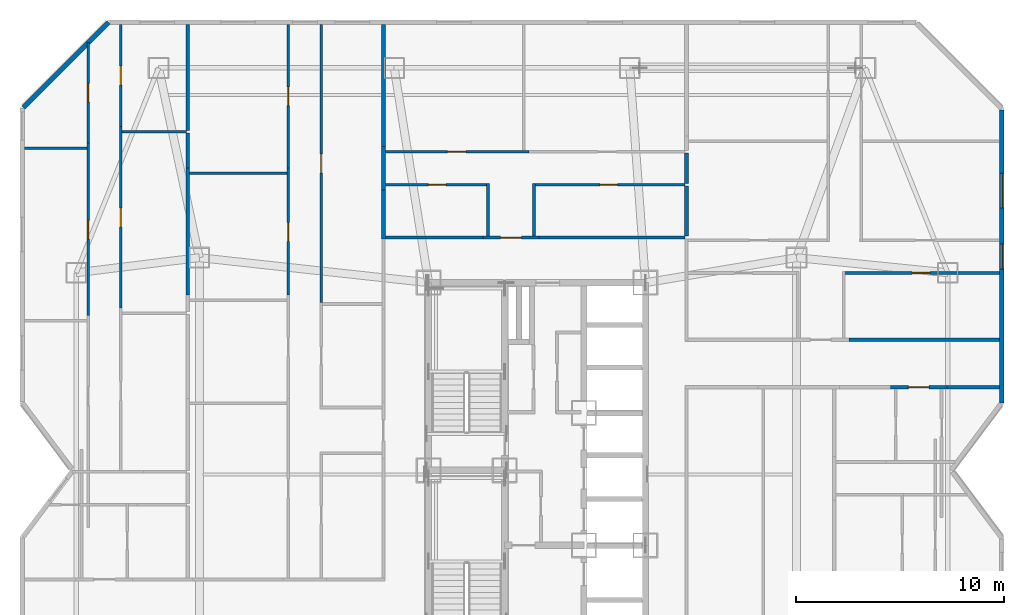
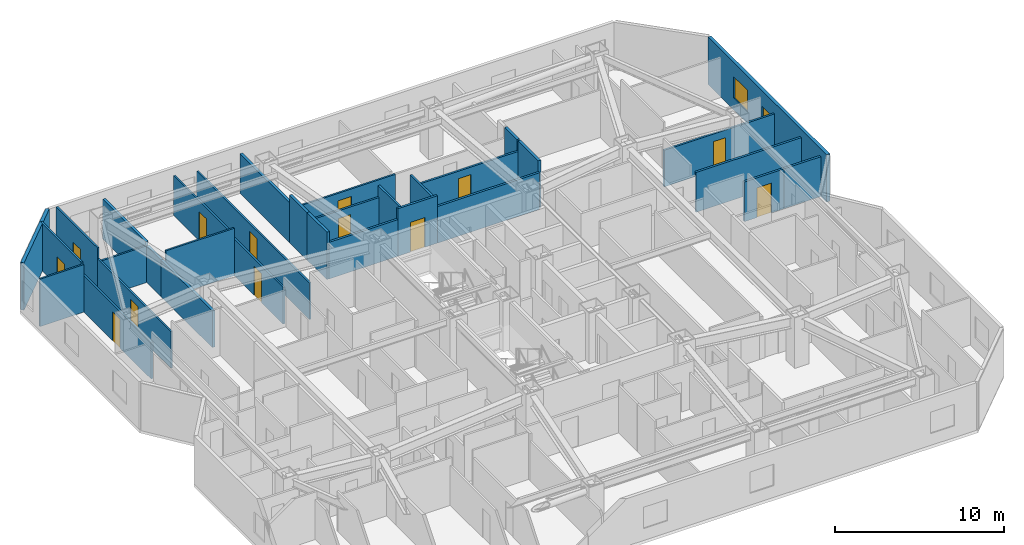
# One storey, part 10 of 13: 32 walls, 13 doors, 2 windows, 15 openings.
"""IFC4 building model written with IfcOpenShell, lengths in metres."""

from ifc_helpers import new_model, si_unit, direction, frame, frame_2d, origin, place, context, subcontext, project, spatial, rectangle, extrude, material, layer, layer_set, type_object, element, fill, save


model = new_model("IFC4")

# Units and contexts
model_context = context("Model", 3, precision=1e-05, world=origin(), true_north=direction((0.0, 1.0)))
body_context = subcontext(model_context, "Body", "Model", "MODEL_VIEW")
ifc_project = project(units=[si_unit("LENGTHUNIT", "METRE"), si_unit("AREAUNIT", "SQUARE_METRE"), si_unit("VOLUMEUNIT", "CUBIC_METRE"), si_unit("PLANEANGLEUNIT", "RADIAN"), si_unit("MASSUNIT", "GRAM", prefix="KILO")], contexts=[model_context])

# Site, building, storey
site_placement = place(None, origin())
site = spatial("IfcSite", under=ifc_project, at=site_placement, CompositionType="ELEMENT")
building_placement = place(site_placement, origin())
building = spatial("IfcBuilding", under=site, at=building_placement, Name="Khamvora Tower", CompositionType="ELEMENT")
storey_placement = place(building_placement, frame((0.0, 0.0, 105.550048828125)))
storey = spatial("IfcBuildingStorey", under=building, at=storey_placement, Name="L26", CompositionType="ELEMENT", Elevation=105.550048828125)

# Wall, opening, door
ifc_material_1 = material(Name="Fire-Rated Drywall and Steel Stud", Category="steel")
ifc_layer_1 = layer(ifc_material_1, 0.14990234375)
ifc_layer_set_1 = layer_set([ifc_layer_1], Name="Fire-Rated Drywall and Steel Stud")
wall_type_1 = type_object("IfcWallType", Name="WAL-CORR-150", PredefinedType="STANDARD", material=ifc_layer_set_1)
wall_1_placement = place(storey_placement, frame((31.60107421875, 39.1650390625, 0.0), z_axis=(0.0, 0.0, 1.0), x_axis=(1.0, 0.0, 0.0)))
wall_1 = element("IfcWall", 1, at=wall_1_placement, inside=storey, type_object=wall_type_1, Name="L26 interior partition wall 030", PredefinedType="STANDARD", context=body_context, shape_type="SweptSolid", body=[
    extrude(rectangle(XDim=2.697998046875, YDim=0.14990234375, at=frame_2d((1.34912109375, 0.0))), origin(), (0.0, 0.0, 1.0), 3.429931640625),
])
opening_1_placement = place(wall_1_placement, frame((0.84912109375, 0.0, 0.0)))
opening_1 = element("IfcOpeningElement", 2, at=opening_1_placement, cuts=wall_1, Name="Opening D-U1", PredefinedType="OPENING", context=body_context, shape_type="SweptSolid", body=[
    extrude(rectangle(XDim=1.0, YDim=2.14990234375, at=frame_2d((0.5, 1.074951171875))), frame((0.0, 0.0849609375, 0.0), z_axis=(0.0, -1.0, 0.0), x_axis=(1.0, 0.0, 0.0)), (0.0, 0.0, 1.0), 0.169921875),
])
ifc_material_2 = material(Name="Powder-Coated Steel and Hardwood Leaf", Category="steel")
door_type_1 = type_object("IfcDoorType", Name="DOR-UNIT-1000", OperationType="NOTDEFINED", PredefinedType="DOOR", material=ifc_material_2)
door_1_placement = place(opening_1_placement, origin())
door_1 = element("IfcDoor", 3, at=door_1_placement, inside=storey, type_object=door_type_1, Name="L26 interior door COR-26NAH", OperationType="SINGLE_SWING_LEFT", OverallHeight=2.14990234375, OverallWidth=1.0, PredefinedType="DOOR", context=body_context, shape_type="SweptSolid", body=[
    extrude(rectangle(XDim=1.0, YDim=2.14990234375, at=frame_2d((0.5, 1.074951171875))), frame((0.0, 0.02490234375, 0.0), z_axis=(0.0, -1.0, 0.0), x_axis=(1.0, 0.0, 0.0)), (0.0, 0.0, 1.0), 0.050048828125),
])
fill(opening_1, door_1)

# Walls
wall_2_placement = place(storey_placement, frame((26.89990234375, 39.1650390625, 0.0), z_axis=(0.0, 0.0, 1.0), x_axis=(1.0, 0.0, 0.0)))
element("IfcWall", 4, at=wall_2_placement, inside=storey, type_object=wall_type_1, Name="L26 interior partition wall 031", PredefinedType="STANDARD", context=body_context, shape_type="SweptSolid", body=[
    extrude(rectangle(XDim=4.701171875, YDim=0.14990234375, at=frame_2d((2.3505859375, 0.0))), origin(), (0.0, 0.0, 1.0), 2.64697265625),
])
wall_3_placement = place(storey_placement, frame((34.299072265625, 39.1650390625, 0.0), z_axis=(0.0, 0.0, 1.0), x_axis=(1.0, 0.0, 0.0)))
element("IfcWall", 5, at=wall_3_placement, inside=storey, type_object=wall_type_1, Name="L26 interior partition wall 032", PredefinedType="STANDARD", context=body_context, shape_type="SweptSolid", body=[
    extrude(rectangle(XDim=7.0009765625, YDim=0.14990234375, at=frame_2d((3.50048828125, 0.0))), origin(), (0.0, 0.0, 1.0), 2.64697265625),
])

# Wall, opening, door
wall_4_placement = place(storey_placement, frame((53.85693359375, 31.985107421875, 0.0), z_axis=(0.0, 0.0, 1.0), x_axis=(-1.0, 0.0, 0.0)))
wall_4 = element("IfcWall", 6, at=wall_4_placement, inside=storey, type_object=wall_type_1, Name="L26 interior partition wall 037", PredefinedType="STANDARD", context=body_context, shape_type="SweptSolid", body=[
    extrude(rectangle(XDim=2.698974609375, YDim=0.14990234375, at=frame_2d((1.349609375, 0.0))), origin(), (0.0, 0.0, 1.0), 2.8759765625),
])
opening_2_placement = place(wall_4_placement, frame((0.84912109375, 0.0, 0.0)))
opening_2 = element("IfcOpeningElement", 7, at=opening_2_placement, cuts=wall_4, Name="Opening D-U1", PredefinedType="OPENING", context=body_context, shape_type="SweptSolid", body=[
    extrude(rectangle(XDim=1.0, YDim=2.14990234375, at=frame_2d((0.5, 1.074951171875))), frame((0.0, 0.0849609375, 0.0), z_axis=(0.0, -1.0, 0.0), x_axis=(1.0, 0.0, 0.0)), (0.0, 0.0, 1.0), 0.169921875),
])
door_2_placement = place(opening_2_placement, origin())
door_2 = element("IfcDoor", 8, at=door_2_placement, inside=storey, type_object=door_type_1, Name="L26 interior door COR-26EBH", OperationType="SINGLE_SWING_LEFT", OverallHeight=2.14990234375, OverallWidth=1.0, PredefinedType="DOOR", context=body_context, shape_type="SweptSolid", body=[
    extrude(rectangle(XDim=1.0, YDim=2.14990234375, at=frame_2d((0.5, 1.074951171875))), frame((0.0, 0.02490234375, 0.0), z_axis=(0.0, -1.0, 0.0), x_axis=(1.0, 0.0, 0.0)), (0.0, 0.0, 1.0), 0.050048828125),
])
fill(opening_2, door_2)

# Walls
wall_5_placement = place(storey_placement, frame((56.387939453125, 31.985107421875, 0.0), z_axis=(0.0, 0.0, 1.0), x_axis=(-1.0, 0.0, 0.0)))
element("IfcWall", 9, at=wall_5_placement, inside=storey, type_object=wall_type_1, Name="L26 interior partition wall 038", PredefinedType="STANDARD", context=body_context, shape_type="SweptSolid", body=[
    extrude(rectangle(XDim=2.531005859375, YDim=0.14990234375, at=frame_2d((1.265625, 0.0))), origin(), (0.0, 0.0, 1.0), 2.8759765625),
])
wall_6_placement = place(storey_placement, frame((49.158935546875, 34.264892578125, 0.0), z_axis=(0.0, 0.0, 1.0), x_axis=(1.0, 0.0, 0.0)))
element("IfcWall", 10, at=wall_6_placement, inside=storey, type_object=wall_type_1, Name="L26 interior partition wall 044", PredefinedType="STANDARD", context=body_context, shape_type="SweptSolid", body=[
    extrude(rectangle(XDim=7.22900390625, YDim=0.14990234375, at=frame_2d((3.614501953125, 0.0))), origin(), (0.0, 0.0, 1.0), 2.8759765625),
])
ifc_material_3 = material(Name="Acoustic Double-Stud Fire Wall", Category="gypsum")
ifc_layer_2 = layer(ifc_material_3, 0.179931640625)
ifc_layer_set_2 = layer_set([ifc_layer_2], Name="Acoustic Double-Stud Fire Wall")
wall_type_2 = type_object("IfcWallType", Name="WAL-CORR-180", PredefinedType="STANDARD", material=ifc_layer_set_2)
wall_7_placement = place(storey_placement, frame((17.449951171875, 42.50390625, 0.0), z_axis=(0.0, 0.0, 1.0), x_axis=(0.0, -1.0, 0.0)))
element("IfcWall", 11, at=wall_7_placement, inside=storey, type_object=wall_type_2, Name="L26 interior partition wall 092", PredefinedType="STANDARD", context=body_context, shape_type="SweptSolid", body=[
    extrude(rectangle(XDim=6.094970703125, YDim=0.179931640625, at=frame_2d((3.04736328125, 0.0))), origin(), (0.0, 0.0, 1.0), 2.64697265625),
])
wall_8_placement = place(storey_placement, frame((17.449951171875, 44.180908203125, 0.0), z_axis=(0.0, 0.0, 1.0), x_axis=(0.0, -1.0, 0.0)))
element("IfcWall", 12, at=wall_8_placement, inside=storey, type_object=wall_type_2, Name="L26 interior partition wall 093", PredefinedType="STANDARD", context=body_context, shape_type="SweptSolid", body=[
    extrude(rectangle(XDim=1.677001953125, YDim=0.179931640625, at=frame_2d((0.83837890625, 0.0))), origin(), (0.0, 0.0, 1.0), 2.64697265625),
])
wall_9_placement = place(storey_placement, frame((17.449951171875, 49.387939453125, 0.0), z_axis=(0.0, 0.0, 1.0), x_axis=(0.0, -1.0, 0.0)))
element("IfcWall", 13, at=wall_9_placement, inside=storey, type_object=wall_type_2, Name="L26 interior partition wall 094", PredefinedType="STANDARD", context=body_context, shape_type="SweptSolid", body=[
    extrude(rectangle(XDim=5.076904296875, YDim=0.179931640625, at=frame_2d((2.53857421875, 0.0))), origin(), (0.0, 0.0, 1.0), 2.8759765625),
])
wall_10_placement = place(storey_placement, frame((26.8349609375, 43.52392578125, 0.0), z_axis=(0.0, 0.0, 1.0), x_axis=(0.0, -1.0, 0.0)))
element("IfcWall", 14, at=wall_10_placement, inside=storey, type_object=wall_type_2, Name="L26 interior partition wall 097", PredefinedType="STANDARD", context=body_context, shape_type="SweptSolid", body=[
    extrude(rectangle(XDim=2.077880859375, YDim=0.179931640625, at=frame_2d((1.0390625, 0.0))), origin(), (0.0, 0.0, 1.0), 3.429931640625),
])
wall_11_placement = place(storey_placement, frame((26.8349609375, 41.446044921875, 0.0), z_axis=(0.0, 0.0, 1.0), x_axis=(0.0, -1.0, 0.0)))
element("IfcWall", 15, at=wall_11_placement, inside=storey, type_object=wall_type_2, Name="L26 interior partition wall 098", PredefinedType="STANDARD", context=body_context, shape_type="SweptSolid", body=[
    extrude(rectangle(XDim=2.345947265625, YDim=0.179931640625, at=frame_2d((1.1728515625, 0.0))), origin(), (0.0, 0.0, 1.0), 3.429931640625),
])
wall_12_placement = place(storey_placement, frame((26.8349609375, 49.387939453125, 0.0), z_axis=(0.0, 0.0, 1.0), x_axis=(0.0, -1.0, 0.0)))
element("IfcWall", 16, at=wall_12_placement, inside=storey, type_object=wall_type_2, Name="L26 interior partition wall 099", PredefinedType="STANDARD", context=body_context, shape_type="SweptSolid", body=[
    extrude(rectangle(XDim=5.864013671875, YDim=0.179931640625, at=frame_2d((2.93212890625, 0.0))), origin(), (0.0, 0.0, 1.0), 2.8759765625),
])
wall_13_placement = place(storey_placement, frame((41.364990234375, 43.2099609375, 0.0), z_axis=(0.0, 0.0, 1.0), x_axis=(0.0, -1.0, 0.0)))
element("IfcWall", 17, at=wall_13_placement, inside=storey, type_object=wall_type_2, Name="L26 interior partition wall 126", PredefinedType="STANDARD", context=body_context, shape_type="SweptSolid", body=[
    extrude(rectangle(XDim=1.449951171875, YDim=0.179931640625, at=frame_2d((0.72509765625, 0.0))), origin(), (0.0, 0.0, 1.0), 3.429931640625),
])
wall_14_placement = place(storey_placement, frame((41.364990234375, 41.6298828125, 0.0), z_axis=(0.0, 0.0, 1.0), x_axis=(0.0, -1.0, 0.0)))
element("IfcWall", 18, at=wall_14_placement, inside=storey, type_object=wall_type_2, Name="L26 interior partition wall 127", PredefinedType="STANDARD", context=body_context, shape_type="SweptSolid", body=[
    extrude(rectangle(XDim=2.39990234375, YDim=0.179931640625, at=frame_2d((1.199951171875, 0.0))), origin(), (0.0, 0.0, 1.0), 3.429931640625),
])
ifc_material_4 = material(Name="Precast concrete C40/50", Category="concrete")
ifc_layer_3 = layer(ifc_material_4, 0.219970703125)
ifc_layer_set_3 = layer_set([ifc_layer_3], Name="Precast concrete C40/50")
wall_type_3 = type_object("IfcWallType", Name="WAL-EXT-220", PredefinedType="STANDARD", material=ifc_layer_set_3)
wall_15_placement = place(storey_placement, frame((9.55810546875, 45.402099609375, 0.0), z_axis=(0.0, 0.0, 1.0), x_axis=(0.707106781187, 0.707106781187, 0.0)))
element("IfcWall", 19, at=wall_15_placement, inside=storey, type_object=wall_type_3, Name="L26 exterior facade wall 06.1", PredefinedType="STANDARD", context=body_context, shape_type="SweptSolid", body=[
    extrude(rectangle(XDim=5.78125, YDim=0.219970703125, at=frame_2d((2.890625, 0.0))), origin(), (0.0, 0.0, 1.0), 3.429931640625),
])

# Wall, openings, windows
wall_16_placement = place(storey_placement, frame((56.489990234375, 45.282958984375, 0.0), z_axis=(0.0, 0.0, 1.0), x_axis=(0.0, -1.0, 0.0)))
wall_16 = element("IfcWall", 20, at=wall_16_placement, inside=storey, type_object=wall_type_3, Name="L26 exterior facade wall 09.1", PredefinedType="STANDARD", context=body_context, shape_type="SweptSolid", body=[
    extrude(rectangle(XDim=14.0458984375, YDim=0.219970703125, at=frame_2d((7.02294921875, 0.0))), origin(), (0.0, 0.0, 1.0), 3.429931640625),
])
opening_3_placement = place(wall_16_placement, frame((6.428955078125, 0.0, 0.800048828125)))
opening_3 = element("IfcOpeningElement", 21, at=opening_3_placement, cuts=wall_16, Name="Opening WN-03", PredefinedType="OPENING", context=body_context, shape_type="SweptSolid", body=[
    extrude(rectangle(XDim=1.199951171875, YDim=1.5, at=frame_2d((0.60009765625, 0.75))), frame((0.0, 0.119873046875, 0.0), z_axis=(0.0, -1.0, 0.0), x_axis=(1.0, 0.0, 0.0)), (0.0, 0.0, 1.0), 0.239990234375),
])
opening_4_placement = place(wall_16_placement, frame((3.0439453125, 0.0, 0.85009765625)))
opening_4 = element("IfcOpeningElement", 22, at=opening_4_placement, cuts=wall_16, Name="Opening WN-06", PredefinedType="OPENING", context=body_context, shape_type="SweptSolid", body=[
    extrude(rectangle(XDim=1.64990234375, YDim=1.550048828125, at=frame_2d((0.824951171875, 0.77490234375))), frame((0.0, 0.119873046875, 0.0), z_axis=(0.0, -1.0, 0.0), x_axis=(1.0, 0.0, 0.0)), (0.0, 0.0, 1.0), 0.239990234375),
])
ifc_material_5 = material(Name="Low-E Laminated Double Glazing", Category="glass")
window_type_1 = type_object("IfcWindowType", Name="WIN-VIS-1200x1500", PartitioningType="SINGLE_PANEL", PredefinedType="WINDOW", material=ifc_material_5)
window_1_placement = place(opening_3_placement, origin())
window_1 = element("IfcWindow", 23, at=window_1_placement, inside=storey, type_object=window_type_1, Name="L26 vision window 09.1.01", OverallHeight=1.5, OverallWidth=1.199951171875, PartitioningType="SINGLE_PANEL", PredefinedType="WINDOW", context=body_context, shape_type="SweptSolid", body=[
    extrude(rectangle(XDim=1.199951171875, YDim=1.5, at=frame_2d((0.60009765625, 0.75))), frame((0.0, 0.030029296875, 0.0), z_axis=(0.0, -1.0, 0.0), x_axis=(1.0, 0.0, 0.0)), (0.0, 0.0, 1.0), 0.06005859375),
])
fill(opening_3, window_1)
window_type_2 = type_object("IfcWindowType", Name="WIN-VIS-1650x1550", PartitioningType="SINGLE_PANEL", PredefinedType="WINDOW", material=ifc_material_5)
window_2_placement = place(opening_4_placement, origin())
window_2 = element("IfcWindow", 24, at=window_2_placement, inside=storey, type_object=window_type_2, Name="L26 vision window 09.1.02", OverallHeight=1.550048828125, OverallWidth=1.64990234375, PartitioningType="SINGLE_PANEL", PredefinedType="WINDOW", context=body_context, shape_type="SweptSolid", body=[
    extrude(rectangle(XDim=1.64990234375, YDim=1.550048828125, at=frame_2d((0.824951171875, 0.77490234375))), frame((0.0, 0.030029296875, 0.0), z_axis=(0.0, -1.0, 0.0), x_axis=(1.0, 0.0, 0.0)), (0.0, 0.0, 1.0), 0.06005859375),
])
fill(opening_4, window_2)

# Wall, opening, door
ifc_material_6 = material(Name="Gypsum Plasterboard Partition", Category="gypsum")
ifc_layer_4 = layer(ifc_material_6, 0.1201171875)
ifc_layer_set_4 = layer_set([ifc_layer_4], Name="Gypsum Plasterboard Partition")
wall_type_4 = type_object("IfcWallType", Name="WAL-PART-120", PredefinedType="PARTITIONING", material=ifc_layer_set_4)
wall_17_placement = place(storey_placement, frame((12.662109375, 35.422119140625, 0.0), z_axis=(0.0, 0.0, 1.0), x_axis=(0.0, 1.0, 0.0)))
wall_17 = element("IfcWall", 25, at=wall_17_placement, inside=storey, type_object=wall_type_4, Name="L26 interior partition wall 077", PredefinedType="PARTITIONING", context=body_context, shape_type="SweptSolid", body=[
    extrude(rectangle(XDim=8.28076171875, YDim=0.1201171875, at=frame_2d((4.140380859375, 0.0))), origin(), (0.0, 0.0, 1.0), 2.64697265625),
])
opening_5_placement = place(wall_17_placement, frame((3.669921875, 0.0, 0.0)))
opening_5 = element("IfcOpeningElement", 26, at=opening_5_placement, cuts=wall_17, Name="Opening D-RM1", PredefinedType="OPENING", context=body_context, shape_type="SweptSolid", body=[
    extrude(rectangle(XDim=0.89990234375, YDim=2.10009765625, at=frame_2d((0.449951171875, 1.050048828125))), frame((0.0, 0.070068359375, 0.0), z_axis=(0.0, -1.0, 0.0), x_axis=(1.0, 0.0, 0.0)), (0.0, 0.0, 1.0), 0.14013671875),
])
door_type_2 = type_object("IfcDoorType", Name="DOR-ROOM-900", OperationType="NOTDEFINED", PredefinedType="DOOR", material=ifc_material_2)
door_3_placement = place(opening_5_placement, origin())
door_3 = element("IfcDoor", 27, at=door_3_placement, inside=storey, type_object=door_type_2, Name="L26 interior door 26WC1H-26WC1R2", OperationType="SINGLE_SWING_LEFT", OverallHeight=2.10009765625, OverallWidth=0.89990234375, PredefinedType="DOOR", context=body_context, shape_type="SweptSolid", body=[
    extrude(rectangle(XDim=0.89990234375, YDim=2.10009765625, at=frame_2d((0.449951171875, 1.050048828125))), frame((0.0, 0.02490234375, 0.0), z_axis=(0.0, -1.0, 0.0), x_axis=(1.0, 0.0, 0.0)), (0.0, 0.0, 1.0), 0.050048828125),
])
fill(opening_5, door_3)

wall_18_placement = place(storey_placement, frame((12.662109375, 43.702880859375, 0.0), z_axis=(0.0, 0.0, 1.0), x_axis=(0.0, 1.0, 0.0)))
wall_18 = element("IfcWall", 28, at=wall_18_placement, inside=storey, type_object=wall_type_4, Name="L26 interior partition wall 078", PredefinedType="PARTITIONING", context=body_context, shape_type="SweptSolid", body=[
    extrude(rectangle(XDim=4.814208984375, YDim=0.1201171875, at=frame_2d((2.4072265625, 0.0))), origin(), (0.0, 0.0, 1.0), 3.429931640625),
])
opening_6_placement = place(wall_18_placement, frame((1.95703125, 0.0, 0.0)))
opening_6 = element("IfcOpeningElement", 29, at=opening_6_placement, cuts=wall_18, Name="Opening D-RM1", PredefinedType="OPENING", context=body_context, shape_type="SweptSolid", body=[
    extrude(rectangle(XDim=0.89990234375, YDim=2.10009765625, at=frame_2d((0.449951171875, 1.050048828125))), frame((0.0, 0.070068359375, 0.0), z_axis=(0.0, -1.0, 0.0), x_axis=(1.0, 0.0, 0.0)), (0.0, 0.0, 1.0), 0.14013671875),
])
door_4_placement = place(opening_6_placement, origin())
door_4 = element("IfcDoor", 30, at=door_4_placement, inside=storey, type_object=door_type_2, Name="L26 interior door 26WC1H-26WC1R3", OperationType="SINGLE_SWING_RIGHT", OverallHeight=2.10009765625, OverallWidth=0.89990234375, PredefinedType="DOOR", context=body_context, shape_type="SweptSolid", body=[
    extrude(rectangle(XDim=0.89990234375, YDim=2.10009765625, at=frame_2d((0.449951171875, 1.050048828125))), frame((0.0, 0.02490234375, 0.0), z_axis=(0.0, -1.0, 0.0), x_axis=(1.0, 0.0, 0.0)), (0.0, 0.0, 1.0), 0.050048828125),
])
fill(opening_6, door_4)

wall_19_placement = place(storey_placement, frame((14.23193359375, 44.4951171875, 0.0), z_axis=(0.0, 0.0, 1.0), x_axis=(0.0, -1.0, 0.0)))
wall_19 = element("IfcWall", 31, at=wall_19_placement, inside=storey, type_object=wall_type_4, Name="L26 interior partition wall 081", PredefinedType="PARTITIONING", context=body_context, shape_type="SweptSolid", body=[
    extrude(rectangle(XDim=8.705078125, YDim=0.1201171875, at=frame_2d((4.3525390625, 0.0))), origin(), (0.0, 0.0, 1.0), 2.64697265625),
])
opening_7_placement = place(wall_19_placement, frame((3.923095703125, 0.0, 0.0)))
opening_7 = element("IfcOpeningElement", 32, at=opening_7_placement, cuts=wall_19, Name="Opening D-RM1", PredefinedType="OPENING", context=body_context, shape_type="SweptSolid", body=[
    extrude(rectangle(XDim=0.89990234375, YDim=2.10009765625, at=frame_2d((0.449951171875, 1.050048828125))), frame((0.0, 0.070068359375, 0.0), z_axis=(0.0, -1.0, 0.0), x_axis=(1.0, 0.0, 0.0)), (0.0, 0.0, 1.0), 0.14013671875),
])
door_5_placement = place(opening_7_placement, origin())
door_5 = element("IfcDoor", 33, at=door_5_placement, inside=storey, type_object=door_type_2, Name="L26 interior door 26WC1H-26WC1R5", OperationType="SINGLE_SWING_RIGHT", OverallHeight=2.10009765625, OverallWidth=0.89990234375, PredefinedType="DOOR", context=body_context, shape_type="SweptSolid", body=[
    extrude(rectangle(XDim=0.89990234375, YDim=2.10009765625, at=frame_2d((0.449951171875, 1.050048828125))), frame((0.0, 0.02490234375, 0.0), z_axis=(0.0, -1.0, 0.0), x_axis=(1.0, 0.0, 0.0)), (0.0, 0.0, 1.0), 0.050048828125),
])
fill(opening_7, door_5)

wall_20_placement = place(storey_placement, frame((14.23193359375, 49.387939453125, 0.0), z_axis=(0.0, 0.0, 1.0), x_axis=(0.0, -1.0, 0.0)))
wall_20 = element("IfcWall", 34, at=wall_20_placement, inside=storey, type_object=wall_type_4, Name="L26 interior partition wall 082", PredefinedType="PARTITIONING", context=body_context, shape_type="SweptSolid", body=[
    extrude(rectangle(XDim=4.892822265625, YDim=0.1201171875, at=frame_2d((2.4462890625, 0.0))), origin(), (0.0, 0.0, 1.0), 3.429931640625),
])
opening_8_placement = place(wall_20_placement, frame((1.99609375, 0.0, 0.0)))
opening_8 = element("IfcOpeningElement", 35, at=opening_8_placement, cuts=wall_20, Name="Opening D-RM1", PredefinedType="OPENING", context=body_context, shape_type="SweptSolid", body=[
    extrude(rectangle(XDim=0.89990234375, YDim=2.10009765625, at=frame_2d((0.449951171875, 1.050048828125))), frame((0.0, 0.070068359375, 0.0), z_axis=(0.0, -1.0, 0.0), x_axis=(1.0, 0.0, 0.0)), (0.0, 0.0, 1.0), 0.14013671875),
])
door_6_placement = place(opening_8_placement, origin())
door_6 = element("IfcDoor", 36, at=door_6_placement, inside=storey, type_object=door_type_2, Name="L26 interior door 26WC1H-26WC1R6", OperationType="SINGLE_SWING_LEFT", OverallHeight=2.10009765625, OverallWidth=0.89990234375, PredefinedType="DOOR", context=body_context, shape_type="SweptSolid", body=[
    extrude(rectangle(XDim=0.89990234375, YDim=2.10009765625, at=frame_2d((0.449951171875, 1.050048828125))), frame((0.0, 0.02490234375, 0.0), z_axis=(0.0, -1.0, 0.0), x_axis=(1.0, 0.0, 0.0)), (0.0, 0.0, 1.0), 0.050048828125),
])
fill(opening_8, door_6)

# Walls
wall_21_placement = place(storey_placement, frame((9.612060546875, 43.4541015625, 0.0), z_axis=(0.0, 0.0, 1.0), x_axis=(1.0, 0.0, 0.0)))
element("IfcWall", 37, at=wall_21_placement, inside=storey, type_object=wall_type_4, Name="L26 interior partition wall 086", PredefinedType="PARTITIONING", context=body_context, shape_type="SweptSolid", body=[
    extrude(rectangle(XDim=2.995849609375, YDim=0.1201171875, at=frame_2d((1.498046875, 0.0))), origin(), (0.0, 0.0, 1.0), 3.429931640625),
])
wall_22_placement = place(storey_placement, frame((14.285888671875, 44.24609375, 0.0), z_axis=(0.0, 0.0, 1.0), x_axis=(1.0, 0.0, 0.0)))
element("IfcWall", 38, at=wall_22_placement, inside=storey, type_object=wall_type_4, Name="L26 interior partition wall 090", PredefinedType="PARTITIONING", context=body_context, shape_type="SweptSolid", body=[
    extrude(rectangle(XDim=3.09912109375, YDim=0.1201171875, at=frame_2d((1.549560546875, 0.0))), origin(), (0.0, 0.0, 1.0), 2.64697265625),
])

# Wall, opening, door
wall_23_placement = place(storey_placement, frame((23.84912109375, 36.0458984375, 0.0), z_axis=(0.0, 0.0, 1.0), x_axis=(0.0, 1.0, 0.0)))
wall_23 = element("IfcWall", 39, at=wall_23_placement, inside=storey, type_object=wall_type_4, Name="L26 interior partition wall 095", PredefinedType="PARTITIONING", context=body_context, shape_type="SweptSolid", body=[
    extrude(rectangle(XDim=13.342041015625, YDim=0.1201171875, at=frame_2d((6.6708984375, 0.0))), origin(), (0.0, 0.0, 1.0), 2.64697265625),
])
opening_9_placement = place(wall_23_placement, frame((6.220947265625, 0.0, 0.0)))
opening_9 = element("IfcOpeningElement", 40, at=opening_9_placement, cuts=wall_23, Name="Opening D-RM1", PredefinedType="OPENING", context=body_context, shape_type="SweptSolid", body=[
    extrude(rectangle(XDim=0.89990234375, YDim=2.10009765625, at=frame_2d((0.449951171875, 1.050048828125))), frame((0.0, 0.070068359375, 0.0), z_axis=(0.0, -1.0, 0.0), x_axis=(1.0, 0.0, 0.0)), (0.0, 0.0, 1.0), 0.14013671875),
])
door_7_placement = place(opening_9_placement, origin())
door_7 = element("IfcDoor", 41, at=door_7_placement, inside=storey, type_object=door_type_2, Name="L26 interior door 26WC2W2-26WC2H", OperationType="SINGLE_SWING_RIGHT", OverallHeight=2.10009765625, OverallWidth=0.89990234375, PredefinedType="DOOR", context=body_context, shape_type="SweptSolid", body=[
    extrude(rectangle(XDim=0.89990234375, YDim=2.10009765625, at=frame_2d((0.449951171875, 1.050048828125))), frame((0.0, 0.02490234375, 0.0), z_axis=(0.0, -1.0, 0.0), x_axis=(1.0, 0.0, 0.0)), (0.0, 0.0, 1.0), 0.050048828125),
])
fill(opening_9, door_7)

wall_24_placement = place(storey_placement, frame((22.26904296875, 36.408935546875, 0.0), z_axis=(0.0, 0.0, 1.0), x_axis=(0.0, 1.0, 0.0)))
wall_24 = element("IfcWall", 42, at=wall_24_placement, inside=storey, type_object=wall_type_4, Name="L26 interior partition wall 106", PredefinedType="PARTITIONING", context=body_context, shape_type="SweptSolid", body=[
    extrude(rectangle(XDim=6.094970703125, YDim=0.1201171875, at=frame_2d((3.04736328125, 0.0))), origin(), (0.0, 0.0, 1.0), 2.64697265625),
])
opening_10_placement = place(wall_24_placement, frame((2.575927734375, 0.0, 0.0)))
opening_10 = element("IfcOpeningElement", 43, at=opening_10_placement, cuts=wall_24, Name="Opening D-RM1", PredefinedType="OPENING", context=body_context, shape_type="SweptSolid", body=[
    extrude(rectangle(XDim=0.89990234375, YDim=2.10009765625, at=frame_2d((0.449951171875, 1.050048828125))), frame((0.0, 0.070068359375, 0.0), z_axis=(0.0, -1.0, 0.0), x_axis=(1.0, 0.0, 0.0)), (0.0, 0.0, 1.0), 0.14013671875),
])
door_8_placement = place(opening_10_placement, origin())
door_8 = element("IfcDoor", 44, at=door_8_placement, inside=storey, type_object=door_type_2, Name="L26 interior door 26WC2H-26WC2R3", OperationType="SINGLE_SWING_LEFT", OverallHeight=2.10009765625, OverallWidth=0.89990234375, PredefinedType="DOOR", context=body_context, shape_type="SweptSolid", body=[
    extrude(rectangle(XDim=0.89990234375, YDim=2.10009765625, at=frame_2d((0.449951171875, 1.050048828125))), frame((0.0, 0.02490234375, 0.0), z_axis=(0.0, -1.0, 0.0), x_axis=(1.0, 0.0, 0.0)), (0.0, 0.0, 1.0), 0.050048828125),
])
fill(opening_10, door_8)

wall_25_placement = place(storey_placement, frame((22.26904296875, 42.50390625, 0.0), z_axis=(0.0, 0.0, 1.0), x_axis=(0.0, 1.0, 0.0)))
wall_25 = element("IfcWall", 45, at=wall_25_placement, inside=storey, type_object=wall_type_4, Name="L26 interior partition wall 107", PredefinedType="PARTITIONING", context=body_context, shape_type="SweptSolid", body=[
    extrude(rectangle(XDim=6.884033203125, YDim=0.1201171875, at=frame_2d((3.44189453125, 0.0))), origin(), (0.0, 0.0, 1.0), 2.8759765625),
])
opening_11_placement = place(wall_25_placement, frame((2.991943359375, 0.0, 0.0)))
opening_11 = element("IfcOpeningElement", 46, at=opening_11_placement, cuts=wall_25, Name="Opening D-RM1", PredefinedType="OPENING", context=body_context, shape_type="SweptSolid", body=[
    extrude(rectangle(XDim=0.89990234375, YDim=2.10009765625, at=frame_2d((0.449951171875, 1.050048828125))), frame((0.0, 0.070068359375, 0.0), z_axis=(0.0, -1.0, 0.0), x_axis=(1.0, 0.0, 0.0)), (0.0, 0.0, 1.0), 0.14013671875),
])
door_9_placement = place(opening_11_placement, origin())
door_9 = element("IfcDoor", 47, at=door_9_placement, inside=storey, type_object=door_type_2, Name="L26 interior door 26WC2H-26WC2R4", OperationType="SINGLE_SWING_RIGHT", OverallHeight=2.10009765625, OverallWidth=0.89990234375, PredefinedType="DOOR", context=body_context, shape_type="SweptSolid", body=[
    extrude(rectangle(XDim=0.89990234375, YDim=2.10009765625, at=frame_2d((0.449951171875, 1.050048828125))), frame((0.0, 0.02490234375, 0.0), z_axis=(0.0, -1.0, 0.0), x_axis=(1.0, 0.0, 0.0)), (0.0, 0.0, 1.0), 0.050048828125),
])
fill(opening_11, door_9)

# Wall
wall_26_placement = place(storey_placement, frame((17.531982421875, 42.2548828125, 0.0), z_axis=(0.0, 0.0, 1.0), x_axis=(1.0, 0.0, 0.0)))
element("IfcWall", 48, at=wall_26_placement, inside=storey, type_object=wall_type_4, Name="L26 interior partition wall 110", PredefinedType="PARTITIONING", context=body_context, shape_type="SweptSolid", body=[
    extrude(rectangle(XDim=4.68310546875, YDim=0.1201171875, at=frame_2d((2.341552734375, 0.0))), origin(), (0.0, 0.0, 1.0), 3.429931640625),
])

# Wall, opening, door
wall_27_placement = place(storey_placement, frame((26.9169921875, 43.27490234375, 0.0), z_axis=(0.0, 0.0, 1.0), x_axis=(1.0, 0.0, 0.0)))
wall_27 = element("IfcWall", 49, at=wall_27_placement, inside=storey, type_object=wall_type_4, Name="L26 interior partition wall 124", PredefinedType="PARTITIONING", context=body_context, shape_type="SweptSolid", body=[
    extrude(rectangle(XDim=6.906005859375, YDim=0.1201171875, at=frame_2d((3.453125, 0.0))), origin(), (0.0, 0.0, 1.0), 2.64697265625),
])
opening_12_placement = place(wall_27_placement, frame((2.98193359375, 0.0, 0.0)))
opening_12 = element("IfcOpeningElement", 50, at=opening_12_placement, cuts=wall_27, Name="Opening D-RM1", PredefinedType="OPENING", context=body_context, shape_type="SweptSolid", body=[
    extrude(rectangle(XDim=0.89990234375, YDim=2.10009765625, at=frame_2d((0.449951171875, 1.050048828125))), frame((0.0, 0.070068359375, 0.0), z_axis=(0.0, -1.0, 0.0), x_axis=(1.0, 0.0, 0.0)), (0.0, 0.0, 1.0), 0.14013671875),
])
door_10_placement = place(opening_12_placement, origin())
door_10 = element("IfcDoor", 51, at=door_10_placement, inside=storey, type_object=door_type_2, Name="L26 interior door 26NAH-26NAR1", OperationType="SINGLE_SWING_RIGHT", OverallHeight=2.10009765625, OverallWidth=0.89990234375, PredefinedType="DOOR", context=body_context, shape_type="SweptSolid", body=[
    extrude(rectangle(XDim=0.89990234375, YDim=2.10009765625, at=frame_2d((0.449951171875, 1.050048828125))), frame((0.0, 0.02490234375, 0.0), z_axis=(0.0, -1.0, 0.0), x_axis=(1.0, 0.0, 0.0)), (0.0, 0.0, 1.0), 0.050048828125),
])
fill(opening_12, door_10)

# Wall
ifc_material_7 = material(Name="Moisture-Resistant Plasterboard Partition", Category="gypsum")
ifc_layer_5 = layer(ifc_material_7, 0.135009765625)
ifc_layer_set_5 = layer_set([ifc_layer_5], Name="Moisture-Resistant Plasterboard Partition")
wall_type_5 = type_object("IfcWallType", Name="WAL-WET-135", PredefinedType="PARTITIONING", material=ifc_layer_set_5)
wall_28_placement = place(storey_placement, frame((31.85009765625, 39.23193359375, 0.0), z_axis=(0.0, 0.0, 1.0), x_axis=(0.0, 1.0, 0.0)))
element("IfcWall", 52, at=wall_28_placement, inside=storey, type_object=wall_type_5, Name="L26 interior partition wall 120", PredefinedType="PARTITIONING", context=body_context, shape_type="SweptSolid", body=[
    extrude(rectangle(XDim=2.528076171875, YDim=0.135009765625, at=frame_2d((1.26416015625, 0.0))), origin(), (0.0, 0.0, 1.0), 3.429931640625),
])

# Wall, opening, door
wall_29_placement = place(storey_placement, frame((31.9150390625, 41.695068359375, 0.0), z_axis=(0.0, 0.0, 1.0), x_axis=(-1.0, 0.0, 0.0)))
wall_29 = element("IfcWall", 53, at=wall_29_placement, inside=storey, type_object=wall_type_5, Name="L26 interior partition wall 121", PredefinedType="PARTITIONING", context=body_context, shape_type="SweptSolid", body=[
    extrude(rectangle(XDim=4.998046875, YDim=0.135009765625, at=frame_2d((2.4990234375, 0.0))), origin(), (0.0, 0.0, 1.0), 2.64697265625),
])
opening_13_placement = place(wall_29_placement, frame((2.073974609375, 0.0, 0.0)))
opening_13 = element("IfcOpeningElement", 54, at=opening_13_placement, cuts=wall_29, Name="Opening D-WC1", PredefinedType="OPENING", context=body_context, shape_type="SweptSolid", body=[
    extrude(rectangle(XDim=0.85009765625, YDim=2.10009765625, at=frame_2d((0.425048828125, 1.050048828125))), frame((0.0, 0.077392578125, 0.0), z_axis=(0.0, -1.0, 0.0), x_axis=(1.0, 0.0, 0.0)), (0.0, 0.0, 1.0), 0.155029296875),
])
door_type_3 = type_object("IfcDoorType", Name="DOR-WET-850", OperationType="NOTDEFINED", PredefinedType="DOOR", material=ifc_material_2)
door_11_placement = place(opening_13_placement, origin())
door_11 = element("IfcDoor", 55, at=door_11_placement, inside=storey, type_object=door_type_3, Name="L26 interior door 26NAH-26NAB", OperationType="SINGLE_SWING_RIGHT", OverallHeight=2.10009765625, OverallWidth=0.85009765625, PredefinedType="DOOR", context=body_context, shape_type="SweptSolid", body=[
    extrude(rectangle(XDim=0.85009765625, YDim=2.10009765625, at=frame_2d((0.425048828125, 1.050048828125))), frame((0.0, 0.02490234375, 0.0), z_axis=(0.0, -1.0, 0.0), x_axis=(1.0, 0.0, 0.0)), (0.0, 0.0, 1.0), 0.050048828125),
])
fill(opening_13, door_11)

wall_30_placement = place(storey_placement, frame((41.300048828125, 41.695068359375, 0.0), z_axis=(0.0, 0.0, 1.0), x_axis=(-1.0, 0.0, 0.0)))
wall_30 = element("IfcWall", 56, at=wall_30_placement, inside=storey, type_object=wall_type_5, Name="L26 interior partition wall 122", PredefinedType="PARTITIONING", context=body_context, shape_type="SweptSolid", body=[
    extrude(rectangle(XDim=7.31494140625, YDim=0.135009765625, at=frame_2d((3.657470703125, 0.0))), origin(), (0.0, 0.0, 1.0), 2.64697265625),
])
opening_14_placement = place(wall_30_placement, frame((3.23291015625, 0.0, 0.0)))
opening_14 = element("IfcOpeningElement", 57, at=opening_14_placement, cuts=wall_30, Name="Opening D-RM2", PredefinedType="OPENING", context=body_context, shape_type="SweptSolid", body=[
    extrude(rectangle(XDim=0.85009765625, YDim=2.10009765625, at=frame_2d((0.425048828125, 1.050048828125))), frame((0.0, 0.077392578125, 0.0), z_axis=(0.0, -1.0, 0.0), x_axis=(1.0, 0.0, 0.0)), (0.0, 0.0, 1.0), 0.155029296875),
])
door_type_4 = type_object("IfcDoorType", Name="DOR-ROOM-850", OperationType="NOTDEFINED", PredefinedType="DOOR", material=ifc_material_2)
door_12_placement = place(opening_14_placement, origin())
door_12 = element("IfcDoor", 58, at=door_12_placement, inside=storey, type_object=door_type_4, Name="L26 interior door 26NAH-26NAK", OperationType="SINGLE_SWING_LEFT", OverallHeight=2.10009765625, OverallWidth=0.85009765625, PredefinedType="DOOR", context=body_context, shape_type="SweptSolid", body=[
    extrude(rectangle(XDim=0.85009765625, YDim=2.10009765625, at=frame_2d((0.425048828125, 1.050048828125))), frame((0.0, 0.02490234375, 0.0), z_axis=(0.0, -1.0, 0.0), x_axis=(1.0, 0.0, 0.0)), (0.0, 0.0, 1.0), 0.050048828125),
])
fill(opening_14, door_12)

# Wall
wall_31_placement = place(storey_placement, frame((34.050048828125, 41.760009765625, 0.0), z_axis=(0.0, 0.0, 1.0), x_axis=(0.0, -1.0, 0.0)))
element("IfcWall", 59, at=wall_31_placement, inside=storey, type_object=wall_type_5, Name="L26 interior partition wall 123", PredefinedType="PARTITIONING", context=body_context, shape_type="SweptSolid", body=[
    extrude(rectangle(XDim=2.528076171875, YDim=0.135009765625, at=frame_2d((1.26416015625, 0.0))), origin(), (0.0, 0.0, 1.0), 3.429931640625),
])

# Wall, opening, door
wall_32_placement = place(storey_placement, frame((56.387939453125, 37.464111328125, 0.0), z_axis=(0.0, 0.0, 1.0), x_axis=(-1.0, 0.0, 0.0)))
wall_32 = element("IfcWall", 60, at=wall_32_placement, inside=storey, type_object=wall_type_5, Name="L26 interior partition wall 162", PredefinedType="PARTITIONING", context=body_context, shape_type="SweptSolid", body=[
    extrude(rectangle(XDim=7.54296875, YDim=0.135009765625, at=frame_2d((3.771484375, 0.0))), origin(), (0.0, 0.0, 1.0), 2.64697265625),
])
opening_15_placement = place(wall_32_placement, frame((3.346923828125, 0.0, 0.0)))
opening_15 = element("IfcOpeningElement", 61, at=opening_15_placement, cuts=wall_32, Name="Opening D-RM2", PredefinedType="OPENING", context=body_context, shape_type="SweptSolid", body=[
    extrude(rectangle(XDim=0.85009765625, YDim=2.10009765625, at=frame_2d((0.425048828125, 1.050048828125))), frame((0.0, 0.077392578125, 0.0), z_axis=(0.0, -1.0, 0.0), x_axis=(1.0, 0.0, 0.0)), (0.0, 0.0, 1.0), 0.155029296875),
])
door_13_placement = place(opening_15_placement, origin())
door_13 = element("IfcDoor", 62, at=door_13_placement, inside=storey, type_object=door_type_4, Name="L26 interior door 26ECH-26ECK", OperationType="SINGLE_SWING_RIGHT", OverallHeight=2.10009765625, OverallWidth=0.85009765625, PredefinedType="DOOR", context=body_context, shape_type="SweptSolid", body=[
    extrude(rectangle(XDim=0.85009765625, YDim=2.10009765625, at=frame_2d((0.425048828125, 1.050048828125))), frame((0.0, 0.02490234375, 0.0), z_axis=(0.0, -1.0, 0.0), x_axis=(1.0, 0.0, 0.0)), (0.0, 0.0, 1.0), 0.050048828125),
])
fill(opening_15, door_13)

save(model, "model.ifc")
